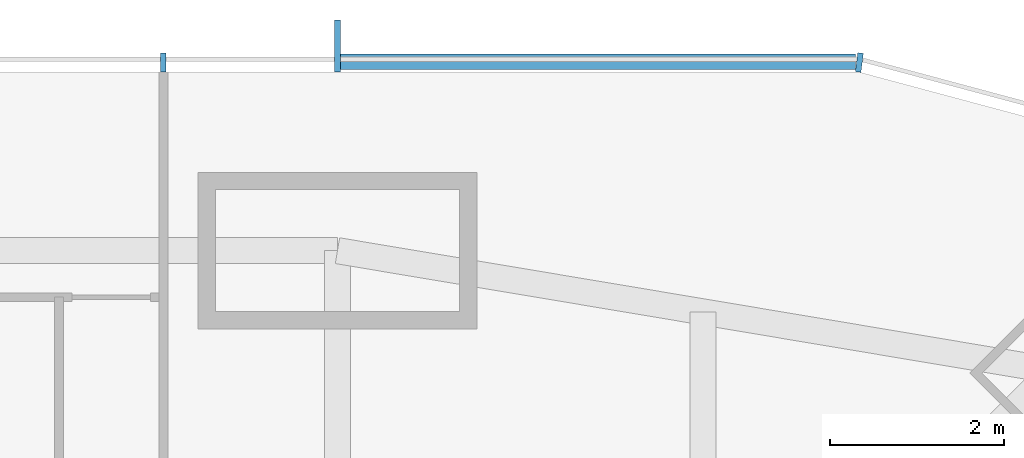
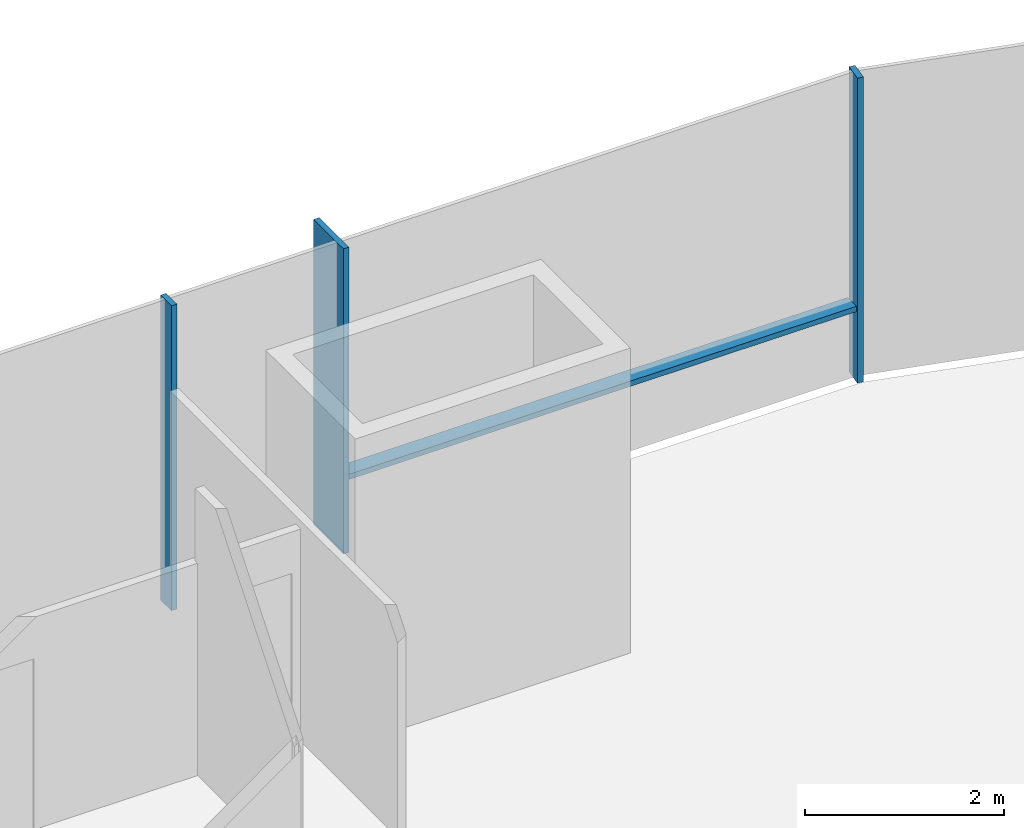
# One storey, part 12 of 20: 4 members, 1 element without a shape of its own.
"""IFC4 building model written with IfcOpenShell, lengths in metres."""

from ifc_helpers import new_model, si_unit, direction, frame, origin, origin_2d, place, context, subcontext, project, spatial, rectangle, extrude, material, material_profile, profile_set, type_object, element, aggregate, save


model = new_model("IFC4")

# Units and contexts
model_context = context("Model", 3, precision=1e-05, world=origin(), true_north=direction((0.0, 1.0)))
body_context = subcontext(model_context, "Body", "Model", "MODEL_VIEW")
ifc_project = project(units=[si_unit("LENGTHUNIT", "METRE"), si_unit("AREAUNIT", "SQUARE_METRE"), si_unit("VOLUMEUNIT", "CUBIC_METRE"), si_unit("PLANEANGLEUNIT", "RADIAN"), si_unit("MASSUNIT", "GRAM", prefix="KILO")], contexts=[model_context])

# Site, building, storey
site_placement = place(None, origin())
site = spatial("IfcSite", under=ifc_project, at=site_placement, CompositionType="ELEMENT")
building_placement = place(site_placement, origin())
building = spatial("IfcBuilding", under=site, at=building_placement, Name="Khuree Lantern Residences", CompositionType="ELEMENT")
storey_placement = place(building_placement, frame((0.0, 0.0, 28.5)))
storey = spatial("IfcBuildingStorey", under=building, at=storey_placement, Name="L06", CompositionType="ELEMENT", Elevation=28.5)

# Curtain wall, members
ifc_material = material(Name="Bronze anodised aluminium", Category="aluminium")
curtain_wall_type = type_object("IfcCurtainWallType", Name="CW-T1 TOWER FACE CURTAIN WALL", PredefinedType="USERDEFINED", material=ifc_material)
curtain_wall_placement = place(storey_placement, origin())
curtain_wall = element("IfcCurtainWall", 1, at=curtain_wall_placement, inside=storey, type_object=curtain_wall_type, Name="L06 NORTH FACE CURTAIN WALL", ObjectType="Stick-built curtain wall", PredefinedType="USERDEFINED")
ifc_material_profile_1 = material_profile(ifc_material, rectangle(XDim=0.06494140625, YDim=0.60009765625, at=origin_2d()), Name="F1 65X600")
ifc_profile_set_1 = profile_set([ifc_material_profile_1], Name="Bronze anodised aluminium")
member_type_1 = type_object("IfcMemberType", Name="F1 BRONZE FIN MULLION TOWER 65X600", PredefinedType="MULLION", material=ifc_profile_set_1)
member_1_placement = place(storey_placement, frame((20.0, 32.14990234375, 0.0), z_axis=(0.0, 0.0, 1.0), x_axis=(-1.0, 0.0, 0.0)))
member_1 = element("IfcMember", 2, at=member_1_placement, type_object=member_type_1, Name="L06 NORTH FACE FIN MULLION 19", PredefinedType="MULLION", context=body_context, shape_type="SweptSolid", body=[
    extrude(rectangle(XDim=0.06494140625, YDim=0.60009765625, at=origin_2d()), origin(), (0.0, 0.0, 1.0), 3.75),
])
ifc_material_profile_2 = material_profile(ifc_material, rectangle(XDim=0.06494140625, YDim=0.219970703125, at=origin_2d()), Name="M1 65X220")
ifc_profile_set_2 = profile_set([ifc_material_profile_2], Name="Bronze anodised aluminium")
member_type_2 = type_object("IfcMemberType", Name="M1 BRONZE MULLION TOWER 65X220", PredefinedType="MULLION", material=ifc_profile_set_2)
member_2_placement = place(storey_placement, frame((25.994873046875, 31.961669921875, 0.0), z_axis=(0.0, 0.0, 1.0), x_axis=(-0.991444852794, 0.130526257387, 0.0)))
member_2 = element("IfcMember", 3, at=member_2_placement, type_object=member_type_2, Name="L06 NORTH FACE MULLION 18", PredefinedType="MULLION", context=body_context, shape_type="SweptSolid", body=[
    extrude(rectangle(XDim=0.06494140625, YDim=0.219970703125, at=origin_2d()), origin(), (0.0, 0.0, 1.0), 3.75),
])
member_3_placement = place(storey_placement, frame((18.0, 31.9599609375, 0.0), z_axis=(0.0, 0.0, 1.0), x_axis=(-1.0, 0.0, 0.0)))
member_3 = element("IfcMember", 4, at=member_3_placement, type_object=member_type_2, Name="L06 NORTH FACE MULLION 20", PredefinedType="MULLION", context=body_context, shape_type="SweptSolid", body=[
    extrude(rectangle(XDim=0.06494140625, YDim=0.219970703125, at=origin_2d()), origin(), (0.0, 0.0, 1.0), 3.75),
])
ifc_material_profile_3 = material_profile(ifc_material, rectangle(XDim=0.179931640625, YDim=0.06494140625, at=origin_2d()), Name="T1 180X65")
ifc_profile_set_3 = profile_set([ifc_material_profile_3], Name="Bronze anodised aluminium")
member_type_3 = type_object("IfcMemberType", Name="TRANSOM T1 TOWER 180X65", PredefinedType="USERDEFINED", material=ifc_profile_set_3)
member_4_placement = place(storey_placement, frame((25.951416015625, 31.969970703125, 0.89990234375), z_axis=(-1.0, 0.0, 0.0), x_axis=(0.0, -1.0, 0.0)))
member_4 = element("IfcMember", 5, at=member_4_placement, type_object=member_type_3, Name="L06 NORTH FACE TRANSOM 18.1", ObjectType="Transom", PredefinedType="USERDEFINED", context=body_context, shape_type="SweptSolid", body=[
    extrude(rectangle(XDim=0.179931640625, YDim=0.06494140625, at=origin_2d()), origin(), (0.0, 0.0, 1.0), 5.9189453125),
])
aggregate(curtain_wall, [member_2, member_1, member_3, member_4])

save(model, "model.ifc")
